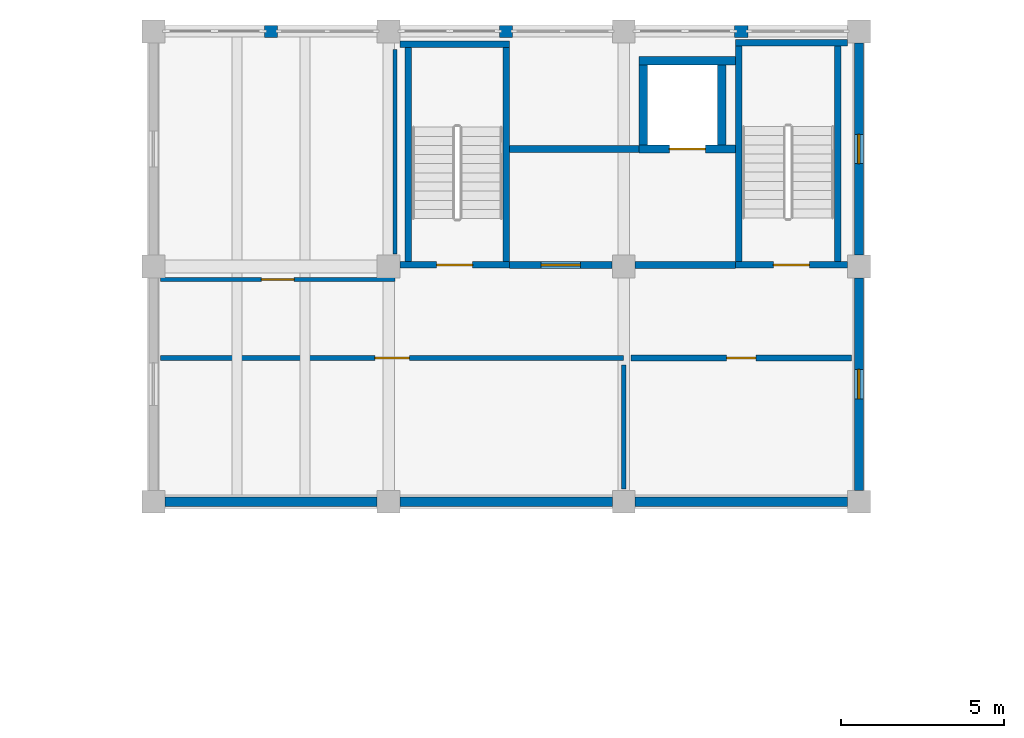
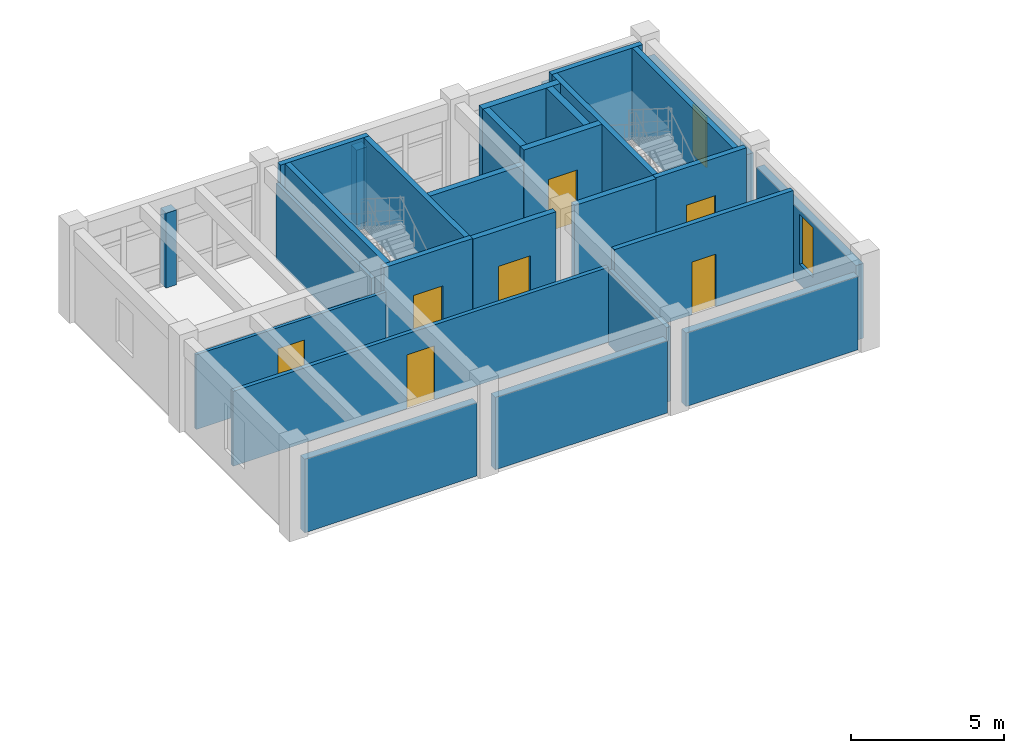
# One storey, part 41 of 54: 28 walls, 7 doors, 2 windows, 9 openings.
"""IFC4 building model written with IfcOpenShell, lengths in metres."""

from ifc_helpers import new_model, si_unit, direction, frame, frame_2d, origin, place, context, subcontext, project, spatial, rectangle, extrude, material, layer, layer_set, type_object, element, fill, save


model = new_model("IFC4")

# Units and contexts
model_context = context("Model", 3, precision=1e-05, world=origin(), true_north=direction((0.0, 1.0)))
body_context = subcontext(model_context, "Body", "Model", "MODEL_VIEW")
ifc_project = project(units=[si_unit("LENGTHUNIT", "METRE"), si_unit("AREAUNIT", "SQUARE_METRE"), si_unit("VOLUMEUNIT", "CUBIC_METRE"), si_unit("PLANEANGLEUNIT", "RADIAN"), si_unit("MASSUNIT", "GRAM", prefix="KILO")], contexts=[model_context])

# Site, building, storey
site_placement = place(None, origin())
site = spatial("IfcSite", under=ifc_project, at=site_placement, CompositionType="ELEMENT")
building_placement = place(site_placement, origin())
building = spatial("IfcBuilding", under=site, at=building_placement, Name="Koriwan Promenade Central Fire Station", CompositionType="ELEMENT")
storey_placement = place(building_placement, frame((0.0, 0.0, 9.60009765625)))
storey = spatial("IfcBuildingStorey", under=building, at=storey_placement, Name="L02", CompositionType="ELEMENT", Elevation=9.60009765625)

# Walls
ifc_material_1 = material(Name="Natural sillar sandstone ashlar", Category="masonry")
ifc_layer_1 = layer(ifc_material_1, 0.360107421875, Name="Natural sillar sandstone ashlar")
ifc_layer_set_1 = layer_set([ifc_layer_1], Name="Natural sillar sandstone ashlar")
wall_type_1 = type_object("IfcWallType", Name="ExtWall_SillarBase_360", PredefinedType="SOLIDWALL", material=ifc_layer_set_1)
for number, where, z_axis, x_axis, name in (
    (1, (97.39990234375, 115.199951171875, 0.0), (0.0, 0.0, 1.0), (-1.0, 0.0, 0.0), "V2 L02 sillar facade mullion pier 73"),
    (2, (90.199951171875, 115.199951171875, 0.0), (0.0, 0.0, 1.0), (-1.0, 0.0, 0.0), "V2 L02 sillar facade mullion pier 74"),
    (3, (83.0, 115.199951171875, 0.0), (0.0, 0.0, 1.0), (-1.0, 0.0, 0.0), "V2 L02 sillar facade mullion pier 75"),
):
    element("IfcWall", number, at=place(storey_placement, frame(where, z_axis=z_axis, x_axis=x_axis)), inside=storey, type_object=wall_type_1, Name=name, PredefinedType="SOLIDWALL", context=body_context, shape_type="SweptSolid", body=[
        extrude(rectangle(XDim=0.39990234375, YDim=0.360107421875, at=frame_2d((0.199951171875, 0.0))), origin(), (0.0, 0.0, 1.0), 2.989990234375),
    ])

# Wall, opening, window
ifc_material_2 = material(Name="Precast concrete C40/50", Category="concrete")
ifc_layer_2 = layer(ifc_material_2, 0.280029296875, Name="Precast concrete C40/50")
ifc_layer_set_2 = layer_set([ifc_layer_2], Name="Precast concrete C40/50")
wall_type_2 = type_object("IfcWallType", Name="ExtWall_Terracotta_280", PredefinedType="ELEMENTEDWALL", material=ifc_layer_set_2)
wall_1_placement = place(storey_placement, frame((100.800048828125, 101.14990234375, 0.0), z_axis=(0.0, 0.0, 1.0), x_axis=(0.0, 1.0, 0.0)))
wall_1 = element("IfcWall", 4, at=wall_1_placement, inside=storey, type_object=wall_type_2, Name="V2 L02 exterior wall 71", PredefinedType="ELEMENTEDWALL", context=body_context, shape_type="SweptSolid", body=[
    extrude(rectangle(XDim=6.5, YDim=0.280029296875, at=frame_2d((3.25, 0.0))), origin(), (0.0, 0.0, 1.0), 2.989990234375),
])
opening_1_placement = place(wall_1_placement, frame((2.800048828125, 0.0, 0.800048828125)))
opening_1 = element("IfcOpeningElement", 5, at=opening_1_placement, cuts=wall_1, Name="Opening W-04", PredefinedType="OPENING", context=body_context, shape_type="SweptSolid", body=[
    extrude(rectangle(XDim=0.89990234375, YDim=2.0, at=frame_2d((0.449951171875, 1.0))), frame((0.0, 0.15185546875, 0.0), z_axis=(0.0, -1.0, 0.0), x_axis=(1.0, 0.0, 0.0)), (0.0, 0.0, 1.0), 0.303955078125),
])
ifc_material_3 = material(Name="Solar-control low-E laminated double glazing", Category="glass")
window_type = type_object("IfcWindowType", Name="Win_HQ_900x2000", PartitioningType="SINGLE_PANEL", PredefinedType="WINDOW", material=ifc_material_3)
window_1_placement = place(opening_1_placement, origin())
window_1 = element("IfcWindow", 6, at=window_1_placement, inside=storey, type_object=window_type, Name="V2 L02 window 0033", OverallHeight=2.0, OverallWidth=0.89990234375, PartitioningType="SINGLE_PANEL", PredefinedType="WINDOW", context=body_context, shape_type="SweptSolid", body=[
    extrude(rectangle(XDim=0.89990234375, YDim=2.0, at=frame_2d((0.449951171875, 1.0))), frame((0.0, 0.030029296875, 0.0), z_axis=(0.0, -1.0, 0.0), x_axis=(1.0, 0.0, 0.0)), (0.0, 0.0, 1.0), 0.06005859375),
])
fill(opening_1, window_1)

wall_2_placement = place(storey_placement, frame((100.800048828125, 108.35009765625, 0.0), z_axis=(0.0, 0.0, 1.0), x_axis=(0.0, 1.0, 0.0)))
wall_2 = element("IfcWall", 7, at=wall_2_placement, inside=storey, type_object=wall_type_2, Name="V2 L02 exterior wall 72", PredefinedType="ELEMENTEDWALL", context=body_context, shape_type="SweptSolid", body=[
    extrude(rectangle(XDim=6.5, YDim=0.280029296875, at=frame_2d((3.25, 0.0))), origin(), (0.0, 0.0, 1.0), 3.039794921875),
])
opening_2_placement = place(wall_2_placement, frame((2.800048828125, 0.0, 0.800048828125)))
opening_2 = element("IfcOpeningElement", 8, at=opening_2_placement, cuts=wall_2, Name="Opening W-04", PredefinedType="OPENING", context=body_context, shape_type="SweptSolid", body=[
    extrude(rectangle(XDim=0.89990234375, YDim=2.0, at=frame_2d((0.449951171875, 1.0))), frame((0.0, 0.15185546875, 0.0), z_axis=(0.0, -1.0, 0.0), x_axis=(1.0, 0.0, 0.0)), (0.0, 0.0, 1.0), 0.303955078125),
])
window_2_placement = place(opening_2_placement, origin())
window_2 = element("IfcWindow", 9, at=window_2_placement, inside=storey, type_object=window_type, Name="V2 L02 window 0034", OverallHeight=2.0, OverallWidth=0.89990234375, PartitioningType="SINGLE_PANEL", PredefinedType="WINDOW", context=body_context, shape_type="SweptSolid", body=[
    extrude(rectangle(XDim=0.89990234375, YDim=2.0, at=frame_2d((0.449951171875, 1.0))), frame((0.0, 0.030029296875, 0.0), z_axis=(0.0, -1.0, 0.0), x_axis=(1.0, 0.0, 0.0)), (0.0, 0.0, 1.0), 0.06005859375),
])
fill(opening_2, window_2)

# Walls
wall_3_placement = place(storey_placement, frame((79.550048828125, 100.800048828125, 0.0), z_axis=(0.0, 0.0, 1.0), x_axis=(1.0, 0.0, 0.0)))
element("IfcWall", 10, at=wall_3_placement, inside=storey, type_object=wall_type_2, Name="V2 L02 exterior wall 78", PredefinedType="ELEMENTEDWALL", context=body_context, shape_type="SweptSolid", body=[
    extrude(rectangle(XDim=6.5, YDim=0.280029296875, at=frame_2d((3.25, 0.0))), origin(), (0.0, 0.0, 1.0), 2.93994140625),
])
wall_4_placement = place(storey_placement, frame((86.75, 100.800048828125, 0.0), z_axis=(0.0, 0.0, 1.0), x_axis=(1.0, 0.0, 0.0)))
element("IfcWall", 11, at=wall_4_placement, inside=storey, type_object=wall_type_2, Name="V2 L02 exterior wall 79", PredefinedType="ELEMENTEDWALL", context=body_context, shape_type="SweptSolid", body=[
    extrude(rectangle(XDim=6.5, YDim=0.280029296875, at=frame_2d((3.25, 0.0))), origin(), (0.0, 0.0, 1.0), 2.889892578125),
])
wall_5_placement = place(storey_placement, frame((93.949951171875, 100.800048828125, 0.0), z_axis=(0.0, 0.0, 1.0), x_axis=(1.0, 0.0, 0.0)))
element("IfcWall", 12, at=wall_5_placement, inside=storey, type_object=wall_type_2, Name="V2 L02 exterior wall 80", PredefinedType="ELEMENTEDWALL", context=body_context, shape_type="SweptSolid", body=[
    extrude(rectangle(XDim=6.5, YDim=0.280029296875, at=frame_2d((3.25, 0.0))), origin(), (0.0, 0.0, 1.0), 2.93994140625),
])

# Wall, opening, door
ifc_material_4 = material(Name="Gypsum board acoustic stud partition", Category="gypsum")
ifc_layer_3 = layer(ifc_material_4, 0.1201171875, Name="Gypsum board acoustic stud partition")
ifc_layer_set_3 = layer_set([ifc_layer_3], Name="Gypsum board acoustic stud partition")
wall_type_3 = type_object("IfcWallType", Name="IntWall_Drywall_120", PredefinedType="PARTITIONING", material=ifc_layer_set_3)
wall_6_placement = place(storey_placement, frame((79.419921875, 107.60009765625, 0.0), z_axis=(0.0, 0.0, 1.0), x_axis=(1.0, 0.0, 0.0)))
wall_6 = element("IfcWall", 13, at=wall_6_placement, inside=storey, type_object=wall_type_3, Name="Urban Search and Rescue Breach Room partition S", PredefinedType="PARTITIONING", context=body_context, shape_type="SweptSolid", body=[
    extrude(rectangle(XDim=7.18017578125, YDim=0.1201171875, at=frame_2d((3.590087890625, 0.0))), origin(), (0.0, 0.0, 1.0), 2.98779296875),
])
opening_3_placement = place(wall_6_placement, frame((3.090087890625, 0.0, 0.0)))
opening_3 = element("IfcOpeningElement", 14, at=opening_3_placement, cuts=wall_6, Name="Opening D-133", PredefinedType="OPENING", context=body_context, shape_type="SweptSolid", body=[
    extrude(rectangle(XDim=1.0, YDim=2.14990234375, at=frame_2d((0.5, 1.074951171875))), frame((0.0, 0.072021484375, 0.0), z_axis=(0.0, -1.0, 0.0), x_axis=(1.0, 0.0, 0.0)), (0.0, 0.0, 1.0), 0.14404296875),
])
ifc_material_5 = material(Name="Hardwood veneer solid-core timber", Category="wood")
door_type_1 = type_object("IfcDoorType", Name="RoomDoor_Office_1000x2150", OperationType="NOTDEFINED", PredefinedType="DOOR", material=ifc_material_5)
door_1_placement = place(opening_3_placement, origin())
door_1 = element("IfcDoor", 15, at=door_1_placement, inside=storey, type_object=door_type_1, Name="Urban Search and Rescue Breach Room Door D-133", OperationType="SINGLE_SWING_LEFT", OverallHeight=2.14990234375, OverallWidth=1.0, PredefinedType="DOOR", context=body_context, shape_type="SweptSolid", body=[
    extrude(rectangle(XDim=1.0, YDim=2.14990234375, at=frame_2d((0.5, 1.074951171875))), frame((0.0, 0.02490234375, 0.0), z_axis=(0.0, -1.0, 0.0), x_axis=(1.0, 0.0, 0.0)), (0.0, 0.0, 1.0), 0.050048828125),
])
fill(opening_3, door_1)

# Wall
wall_7_placement = place(storey_placement, frame((86.60009765625, 108.389892578125, 0.0), z_axis=(0.0, 0.0, 1.0), x_axis=(0.0, 1.0, 0.0)))
element("IfcWall", 16, at=wall_7_placement, inside=storey, type_object=wall_type_3, Name="Urban Search and Rescue Breach Room partition E", PredefinedType="PARTITIONING", context=body_context, shape_type="SweptSolid", body=[
    extrude(rectangle(XDim=6.259521484375, YDim=0.1201171875, at=frame_2d((3.1298828125, 0.0))), origin(), (0.0, 0.0, 1.0), 3.037841796875),
])

# Wall, opening, door
ifc_material_6 = material(Name="Clay brick plastered masonry wall", Category="masonry")
ifc_layer_4 = layer(ifc_material_6, 0.14990234375, Name="Clay brick plastered masonry wall")
ifc_layer_set_4 = layer_set([ifc_layer_4], Name="Clay brick plastered masonry wall")
wall_type_4 = type_object("IfcWallType", Name="IntWall_Masonry_150", PredefinedType="STANDARD", material=ifc_layer_set_4)
wall_8_placement = place(storey_placement, frame((79.419921875, 105.199951171875, 0.0), z_axis=(0.0, 0.0, 1.0), x_axis=(1.0, 0.0, 0.0)))
wall_8 = element("IfcWall", 17, at=wall_8_placement, inside=storey, type_object=wall_type_4, Name="Rope Anchor Rigging Classroom partition N", PredefinedType="STANDARD", context=body_context, shape_type="SweptSolid", body=[
    extrude(rectangle(XDim=14.18017578125, YDim=0.14990234375, at=frame_2d((7.090087890625, 0.0))), origin(), (0.0, 0.0, 1.0), 2.98779296875),
])
opening_4_placement = place(wall_8_placement, frame((6.56494140625, 0.0, 0.0)))
opening_4 = element("IfcOpeningElement", 18, at=opening_4_placement, cuts=wall_8, Name="Opening D-134", PredefinedType="OPENING", context=body_context, shape_type="SweptSolid", body=[
    extrude(rectangle(XDim=1.050048828125, YDim=2.14990234375, at=frame_2d((0.52490234375, 1.074951171875))), frame((0.0, 0.0869140625, 0.0), z_axis=(0.0, -1.0, 0.0), x_axis=(1.0, 0.0, 0.0)), (0.0, 0.0, 1.0), 0.173828125),
])
door_type_2 = type_object("IfcDoorType", Name="RoomDoor_Class_1050x2150", OperationType="NOTDEFINED", PredefinedType="DOOR", material=ifc_material_5)
door_2_placement = place(opening_4_placement, origin())
door_2 = element("IfcDoor", 19, at=door_2_placement, inside=storey, type_object=door_type_2, Name="Rope Anchor Rigging Classroom Door D-134", OperationType="SINGLE_SWING_RIGHT", OverallHeight=2.14990234375, OverallWidth=1.050048828125, PredefinedType="DOOR", context=body_context, shape_type="SweptSolid", body=[
    extrude(rectangle(XDim=1.050048828125, YDim=2.14990234375, at=frame_2d((0.52490234375, 1.074951171875))), frame((0.0, 0.02490234375, 0.0), z_axis=(0.0, -1.0, 0.0), x_axis=(1.0, 0.0, 0.0)), (0.0, 0.0, 1.0), 0.050048828125),
])
fill(opening_4, door_2)

# Wall
wall_9_placement = place(storey_placement, frame((93.60009765625, 101.18994140625, 0.0), z_axis=(0.0, 0.0, 1.0), x_axis=(0.0, 1.0, 0.0)))
element("IfcWall", 20, at=wall_9_placement, inside=storey, type_object=wall_type_4, Name="Rope Anchor Rigging Classroom partition E", PredefinedType="STANDARD", context=body_context, shape_type="SweptSolid", body=[
    extrude(rectangle(XDim=3.7900390625, YDim=0.14990234375, at=frame_2d((1.89501953125, 0.0))), origin(), (0.0, 0.0, 1.0), 2.98779296875),
])

# Wall, opening, door
ifc_material_7 = material(Name="Concrete C35/45 compartment wall", Category="concrete")
ifc_layer_5 = layer(ifc_material_7, 0.219970703125, Name="Concrete C35/45 compartment wall")
ifc_layer_set_5 = layer_set([ifc_layer_5], Name="Concrete C35/45 compartment wall")
wall_type_5 = type_object("IfcWallType", Name="IntWall_Plant_220", PredefinedType="STANDARD", material=ifc_layer_set_5)
wall_10_placement = place(storey_placement, frame((90.10205078125, 108.050048828125, 0.0), z_axis=(0.0, 0.0, 1.0), x_axis=(1.0, 0.0, 0.0)))
wall_10 = element("IfcWall", 21, at=wall_10_placement, inside=storey, type_object=wall_type_5, Name="Drill Tower Firefighting Lift Lobby L02 partition S", PredefinedType="STANDARD", context=body_context, shape_type="SweptSolid", body=[
    extrude(rectangle(XDim=3.14599609375, YDim=0.219970703125, at=frame_2d((1.572998046875, 0.0))), origin(), (0.0, 0.0, 1.0), 3.619873046875),
])
opening_5_placement = place(wall_10_placement, frame((0.972900390625, 0.0, 0.0)))
opening_5 = element("IfcOpeningElement", 22, at=opening_5_placement, cuts=wall_10, Name="Opening D-132", PredefinedType="OPENING", context=body_context, shape_type="SweptSolid", body=[
    extrude(rectangle(XDim=1.199951171875, YDim=2.199951171875, at=frame_2d((0.60009765625, 1.10009765625))), frame((0.0, 0.1220703125, 0.0), z_axis=(0.0, -1.0, 0.0), x_axis=(1.0, 0.0, 0.0)), (0.0, 0.0, 1.0), 0.243896484375),
])
ifc_material_8 = material(Name="Painted galvanized fire-door steel", Category="steel")
door_type_3 = type_object("IfcDoorType", Name="FireDoor_Lobby_1200x2200", OperationType="NOTDEFINED", PredefinedType="DOOR", material=ifc_material_8)
door_3_placement = place(opening_5_placement, origin())
door_3 = element("IfcDoor", 23, at=door_3_placement, inside=storey, type_object=door_type_3, Name="Drill Tower Firefighting Lift Lobby L02 Door D-132", OperationType="SINGLE_SWING_RIGHT", OverallHeight=2.199951171875, OverallWidth=1.199951171875, PredefinedType="DOOR", context=body_context, shape_type="SweptSolid", body=[
    extrude(rectangle(XDim=1.199951171875, YDim=2.199951171875, at=frame_2d((0.60009765625, 1.10009765625))), frame((0.0, 0.02490234375, 0.0), z_axis=(0.0, -1.0, 0.0), x_axis=(1.0, 0.0, 0.0)), (0.0, 0.0, 1.0), 0.050048828125),
])
fill(opening_5, door_3)

# Walls
wall_11_placement = place(storey_placement, frame((93.951904296875, 108.050048828125, 0.0), z_axis=(0.0, 0.0, 1.0), x_axis=(1.0, 0.0, 0.0)))
element("IfcWall", 24, at=wall_11_placement, inside=storey, type_object=wall_type_5, Name="Drill Tower Firefighting Lift Lobby L02 partition S", PredefinedType="STANDARD", context=body_context, shape_type="SweptSolid", body=[
    extrude(rectangle(XDim=3.066162109375, YDim=0.219970703125, at=frame_2d((1.533203125, 0.0))), origin(), (0.0, 0.0, 1.0), 3.619873046875),
])
wall_12_placement = place(storey_placement, frame((90.10205078125, 111.60009765625, 0.0), z_axis=(0.0, 0.0, 1.0), x_axis=(1.0, 0.0, 0.0)))
element("IfcWall", 25, at=wall_12_placement, inside=storey, type_object=wall_type_5, Name="Drill Tower Firefighting Lift Lobby L02 partition N", PredefinedType="STANDARD", context=body_context, shape_type="SweptSolid", body=[
    extrude(rectangle(XDim=3.970947265625, YDim=0.219970703125, at=frame_2d((1.9853515625, 0.0))), origin(), (0.0, 0.0, 1.0), 3.037841796875),
])

# Wall, opening, door
ifc_material_9 = material(Name="Moisture-resistant sanitary chase wall", Category="gypsum")
ifc_layer_6 = layer(ifc_material_9, 0.179931640625, Name="Moisture-resistant sanitary chase wall")
ifc_layer_set_6 = layer_set([ifc_layer_6], Name="Moisture-resistant sanitary chase wall")
wall_type_6 = type_object("IfcWallType", Name="IntWall_Plumbing_180", PredefinedType="PLUMBINGWALL", material=ifc_layer_set_6)
wall_13_placement = place(storey_placement, frame((93.820068359375, 105.199951171875, 0.0), z_axis=(0.0, 0.0, 1.0), x_axis=(1.0, 0.0, 0.0)))
wall_13 = element("IfcWall", 26, at=wall_13_placement, inside=storey, type_object=wall_type_6, Name="Drill L02 Accessible WC partition N", PredefinedType="PLUMBINGWALL", context=body_context, shape_type="SweptSolid", body=[
    extrude(rectangle(XDim=6.760009765625, YDim=0.179931640625, at=frame_2d((3.3798828125, 0.0))), origin(), (0.0, 0.0, 1.0), 3.619873046875),
])
opening_6_placement = place(wall_13_placement, frame((2.929931640625, 0.0, 0.0)))
opening_6 = element("IfcOpeningElement", 27, at=opening_6_placement, cuts=wall_13, Name="Opening D-135", PredefinedType="OPENING", context=body_context, shape_type="SweptSolid", body=[
    extrude(rectangle(XDim=0.89990234375, YDim=2.10009765625, at=frame_2d((0.449951171875, 1.050048828125))), frame((0.0, 0.10205078125, 0.0), z_axis=(0.0, -1.0, 0.0), x_axis=(1.0, 0.0, 0.0)), (0.0, 0.0, 1.0), 0.203857421875),
])
ifc_material_10 = material(Name="High-pressure laminate moisture-resistant core", Category="wood")
door_type_4 = type_object("IfcDoorType", Name="RoomDoor_WC_900x2100", OperationType="NOTDEFINED", PredefinedType="DOOR", material=ifc_material_10)
door_4_placement = place(opening_6_placement, origin())
door_4 = element("IfcDoor", 28, at=door_4_placement, inside=storey, type_object=door_type_4, Name="Drill L02 Accessible WC Door D-135", OperationType="SINGLE_SWING_LEFT", OverallHeight=2.10009765625, OverallWidth=0.89990234375, PredefinedType="DOOR", context=body_context, shape_type="SweptSolid", body=[
    extrude(rectangle(XDim=0.89990234375, YDim=2.10009765625, at=frame_2d((0.449951171875, 1.050048828125))), frame((0.0, 0.02490234375, 0.0), z_axis=(0.0, -1.0, 0.0), x_axis=(1.0, 0.0, 0.0)), (0.0, 0.0, 1.0), 0.050048828125),
])
fill(opening_6, door_4)

ifc_material_11 = material(Name="Concrete C40/50", Category="concrete")
ifc_layer_7 = layer(ifc_material_11, 0.199951171875, Name="Concrete C40/50")
ifc_layer_set_7 = layer_set([ifc_layer_7], Name="Concrete C40/50")
wall_type_7 = type_object("IfcWallType", Name="ShearWall_200", PredefinedType="SHEAR", material=ifc_layer_set_7)
wall_14_placement = place(storey_placement, frame((97.02001953125, 108.050048828125, 0.0), z_axis=(0.0, 0.0, 1.0), x_axis=(1.0, 0.0, 0.0)))
wall_14 = element("IfcWall", 29, at=wall_14_placement, inside=storey, type_object=wall_type_7, Name="ST04 L02 structural stair wall S", PredefinedType="SHEAR", context=body_context, shape_type="SweptSolid", body=[
    extrude(rectangle(XDim=3.429931640625, YDim=0.199951171875, at=frame_2d((1.71484375, 0.0))), origin(), (0.0, 0.0, 1.0), 3.64990234375),
])
opening_7_placement = place(wall_14_placement, frame((1.1650390625, 0.0, 0.0)))
opening_7 = element("IfcOpeningElement", 30, at=opening_7_placement, cuts=wall_14, Name="Opening SD-010", PredefinedType="OPENING", context=body_context, shape_type="SweptSolid", body=[
    extrude(rectangle(XDim=1.10009765625, YDim=2.14990234375, at=frame_2d((0.550048828125, 1.074951171875))), frame((0.0, 0.11181640625, 0.0), z_axis=(0.0, -1.0, 0.0), x_axis=(1.0, 0.0, 0.0)), (0.0, 0.0, 1.0), 0.223876953125),
])
door_type_5 = type_object("IfcDoorType", Name="FireDoor_Stair_1100x2150", OperationType="NOTDEFINED", PredefinedType="DOOR", material=ifc_material_8)
door_5_placement = place(opening_7_placement, origin())
door_5 = element("IfcDoor", 31, at=door_5_placement, inside=storey, type_object=door_type_5, Name="Protected Stair ST04 Fire Door SD-010", OperationType="SINGLE_SWING_LEFT", OverallHeight=2.14990234375, OverallWidth=1.10009765625, PredefinedType="DOOR", context=body_context, shape_type="SweptSolid", body=[
    extrude(rectangle(XDim=1.10009765625, YDim=2.14990234375, at=frame_2d((0.550048828125, 1.074951171875))), frame((0.0, 0.02490234375, 0.0), z_axis=(0.0, -1.0, 0.0), x_axis=(1.0, 0.0, 0.0)), (0.0, 0.0, 1.0), 0.050048828125),
])
fill(opening_7, door_5)

# Walls
wall_15_placement = place(storey_placement, frame((97.02001953125, 114.85009765625, 0.0), z_axis=(0.0, 0.0, 1.0), x_axis=(1.0, 0.0, 0.0)))
element("IfcWall", 32, at=wall_15_placement, inside=storey, type_object=wall_type_7, Name="ST04 L02 structural stair wall N", PredefinedType="SHEAR", context=body_context, shape_type="SweptSolid", body=[
    extrude(rectangle(XDim=3.429931640625, YDim=0.199951171875, at=frame_2d((1.71484375, 0.0))), origin(), (0.0, 0.0, 1.0), 3.64990234375),
])
for number, where, z_axis, x_axis, name in (
    (33, (97.1201171875, 108.14990234375, 0.0), (0.0, 0.0, 1.0), (0.0, 1.0, 0.0), "ST04 L02 structural stair wall W"),
    (34, (100.14990234375, 108.14990234375, 0.0), (0.0, 0.0, 1.0), (0.0, 1.0, 0.0), "ST04 L02 structural stair wall E"),
):
    element("IfcWall", number, at=place(storey_placement, frame(where, z_axis=z_axis, x_axis=x_axis)), inside=storey, type_object=wall_type_7, Name=name, PredefinedType="SHEAR", context=body_context, shape_type="SweptSolid", body=[
        extrude(rectangle(XDim=6.60009765625, YDim=0.199951171875, at=frame_2d((3.300048828125, 0.0))), origin(), (0.0, 0.0, 1.0), 3.64990234375),
    ])

# Wall, opening, door
wall_16_placement = place(storey_placement, frame((86.75, 108.050048828125, 0.0), z_axis=(0.0, 0.0, 1.0), x_axis=(1.0, 0.0, 0.0)))
wall_16 = element("IfcWall", 35, at=wall_16_placement, inside=storey, type_object=wall_type_7, Name="ST09 L02 structural stair wall S", PredefinedType="SHEAR", context=body_context, shape_type="SweptSolid", body=[
    extrude(rectangle(XDim=3.35009765625, YDim=0.199951171875, at=frame_2d((1.675048828125, 0.0))), origin(), (0.0, 0.0, 1.0), 3.64990234375),
])
opening_8_placement = place(wall_16_placement, frame((1.125, 0.0, 0.0)))
opening_8 = element("IfcOpeningElement", 36, at=opening_8_placement, cuts=wall_16, Name="Opening SD-016", PredefinedType="OPENING", context=body_context, shape_type="SweptSolid", body=[
    extrude(rectangle(XDim=1.10009765625, YDim=2.14990234375, at=frame_2d((0.550048828125, 1.074951171875))), frame((0.0, 0.11181640625, 0.0), z_axis=(0.0, -1.0, 0.0), x_axis=(1.0, 0.0, 0.0)), (0.0, 0.0, 1.0), 0.223876953125),
])
door_6_placement = place(opening_8_placement, origin())
door_6 = element("IfcDoor", 37, at=door_6_placement, inside=storey, type_object=door_type_5, Name="Protected Stair ST09 Fire Door SD-016", OperationType="SINGLE_SWING_LEFT", OverallHeight=2.14990234375, OverallWidth=1.10009765625, PredefinedType="DOOR", context=body_context, shape_type="SweptSolid", body=[
    extrude(rectangle(XDim=1.10009765625, YDim=2.14990234375, at=frame_2d((0.550048828125, 1.074951171875))), frame((0.0, 0.02490234375, 0.0), z_axis=(0.0, -1.0, 0.0), x_axis=(1.0, 0.0, 0.0)), (0.0, 0.0, 1.0), 0.050048828125),
])
fill(opening_8, door_6)

# Walls
wall_17_placement = place(storey_placement, frame((86.75, 114.81005859375, 0.0), z_axis=(0.0, 0.0, 1.0), x_axis=(1.0, 0.0, 0.0)))
element("IfcWall", 38, at=wall_17_placement, inside=storey, type_object=wall_type_7, Name="ST09 L02 structural stair wall N", PredefinedType="SHEAR", context=body_context, shape_type="SweptSolid", body=[
    extrude(rectangle(XDim=3.35009765625, YDim=0.199951171875, at=frame_2d((1.675048828125, 0.0))), origin(), (0.0, 0.0, 1.0), 3.64990234375),
])
for number, where, z_axis, x_axis, name in (
    (39, (87.010009765625, 108.14990234375, 0.0), (0.0, 0.0, 1.0), (0.0, 1.0, 0.0), "ST09 L02 structural stair wall W"),
    (40, (90.0, 108.14990234375, 0.0), (0.0, 0.0, 1.0), (0.0, 1.0, 0.0), "ST09 L02 structural stair wall E"),
):
    element("IfcWall", number, at=place(storey_placement, frame(where, z_axis=z_axis, x_axis=x_axis)), inside=storey, type_object=wall_type_7, Name=name, PredefinedType="SHEAR", context=body_context, shape_type="SweptSolid", body=[
        extrude(rectangle(XDim=6.56005859375, YDim=0.199951171875, at=frame_2d((3.280029296875, 0.0))), origin(), (0.0, 0.0, 1.0), 3.64990234375),
    ])

# Wall, opening, door
ifc_layer_8 = layer(ifc_material_11, 0.25, Name="Concrete C40/50")
ifc_layer_set_8 = layer_set([ifc_layer_8], Name="Concrete C40/50")
wall_type_8 = type_object("IfcWallType", Name="ShearWall_250", PredefinedType="SHEAR", material=ifc_layer_set_8)
wall_18_placement = place(storey_placement, frame((94.074951171875, 111.60009765625, 0.0), z_axis=(0.0, 0.0, 1.0), x_axis=(1.0, 0.0, 0.0)))
wall_18 = element("IfcWall", 41, at=wall_18_placement, inside=storey, type_object=wall_type_8, Name="LF02 shaft wall S (L02)", PredefinedType="SHEAR", context=body_context, shape_type="SweptSolid", body=[
    extrude(rectangle(XDim=2.945068359375, YDim=0.25, at=frame_2d((1.47265625, 0.0))), origin(), (0.0, 0.0, 1.0), 3.64990234375),
])
opening_9_placement = place(wall_18_placement, frame((0.922607421875, 0.0, 0.0)))
opening_9 = element("IfcOpeningElement", 42, at=opening_9_placement, cuts=wall_18, Name="Opening LD-LF02-L02", PredefinedType="OPENING", context=body_context, shape_type="SweptSolid", body=[
    extrude(rectangle(XDim=1.10009765625, YDim=2.14990234375, at=frame_2d((0.550048828125, 1.074951171875))), frame((0.0, 0.136962890625, 0.0), z_axis=(0.0, -1.0, 0.0), x_axis=(1.0, 0.0, 0.0)), (0.0, 0.0, 1.0), 0.27392578125),
])
ifc_material_12 = material(Name="Stainless steel 316", Category="steel")
door_type_6 = type_object("IfcDoorType", Name="LiftDoor_Fire_1100x2150", OperationType="SLIDING_TO_LEFT", PredefinedType="DOOR", material=ifc_material_12)
door_7_placement = place(opening_9_placement, origin())
door_7 = element("IfcDoor", 43, at=door_7_placement, inside=storey, type_object=door_type_6, Name="Lift LF02 Sliding Landing Door LD-LF02-L02", OperationType="SLIDING_TO_LEFT", OverallHeight=2.14990234375, OverallWidth=1.10009765625, PredefinedType="DOOR", context=body_context, shape_type="SweptSolid", body=[
    extrude(rectangle(XDim=1.10009765625, YDim=2.14990234375, at=frame_2d((0.550048828125, 1.074951171875))), frame((0.0, 0.02490234375, 0.0), z_axis=(0.0, -1.0, 0.0), x_axis=(1.0, 0.0, 0.0)), (0.0, 0.0, 1.0), 0.050048828125),
])
fill(opening_9, door_7)

# Walls
wall_19_placement = place(storey_placement, frame((94.074951171875, 114.300048828125, 0.0), z_axis=(0.0, 0.0, 1.0), x_axis=(1.0, 0.0, 0.0)))
element("IfcWall", 44, at=wall_19_placement, inside=storey, type_object=wall_type_8, Name="LF02 shaft wall N (L02)", PredefinedType="SHEAR", context=body_context, shape_type="SweptSolid", body=[
    extrude(rectangle(XDim=2.945068359375, YDim=0.25, at=frame_2d((1.47265625, 0.0))), origin(), (0.0, 0.0, 1.0), 3.64990234375),
])
for number, where, z_axis, x_axis, name in (
    (45, (94.199951171875, 111.72509765625, 0.0), (0.0, 0.0, 1.0), (0.0, 1.0, 0.0), "LF02 shaft wall W (L02)"),
    (46, (96.60009765625, 111.72509765625, 0.0), (0.0, 0.0, 1.0), (0.0, 1.0, 0.0), "LF02 shaft wall E (L02)"),
):
    element("IfcWall", number, at=place(storey_placement, frame(where, z_axis=z_axis, x_axis=x_axis)), inside=storey, type_object=wall_type_8, Name=name, PredefinedType="SHEAR", context=body_context, shape_type="SweptSolid", body=[
        extrude(rectangle(XDim=2.449951171875, YDim=0.25, at=frame_2d((1.22509765625, 0.0))), origin(), (0.0, 0.0, 1.0), 3.64990234375),
    ])

save(model, "model.ifc")
